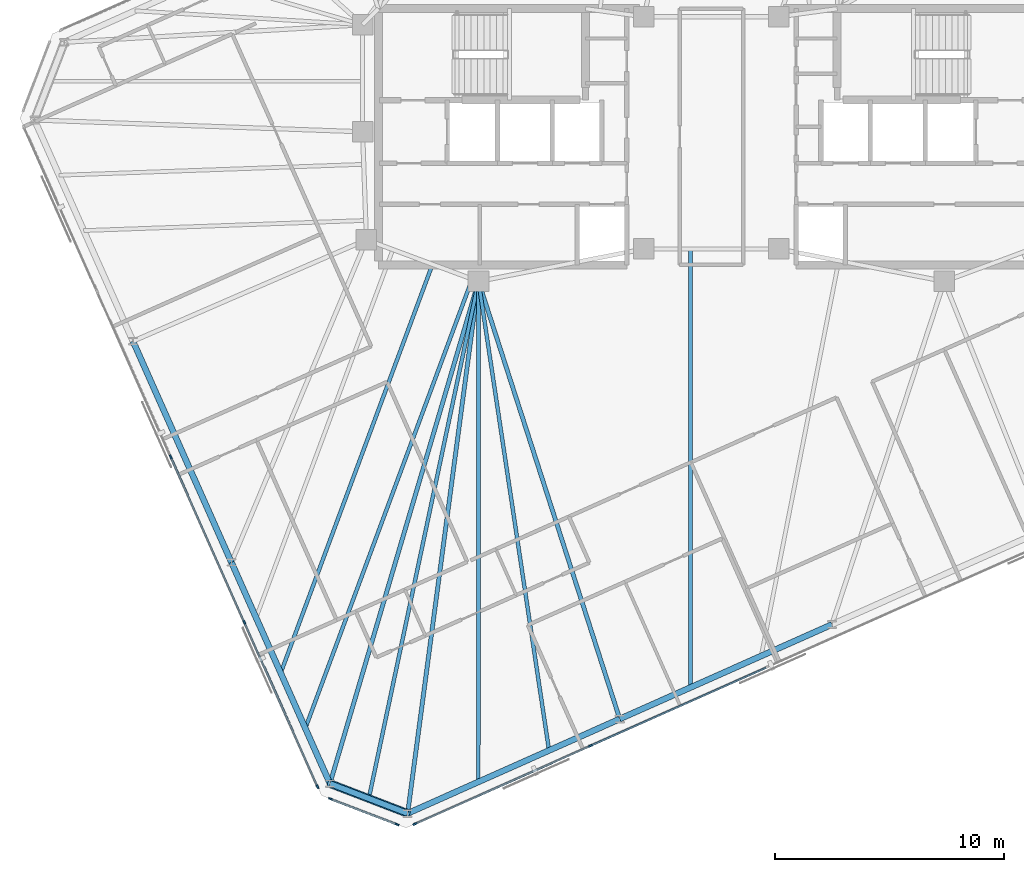
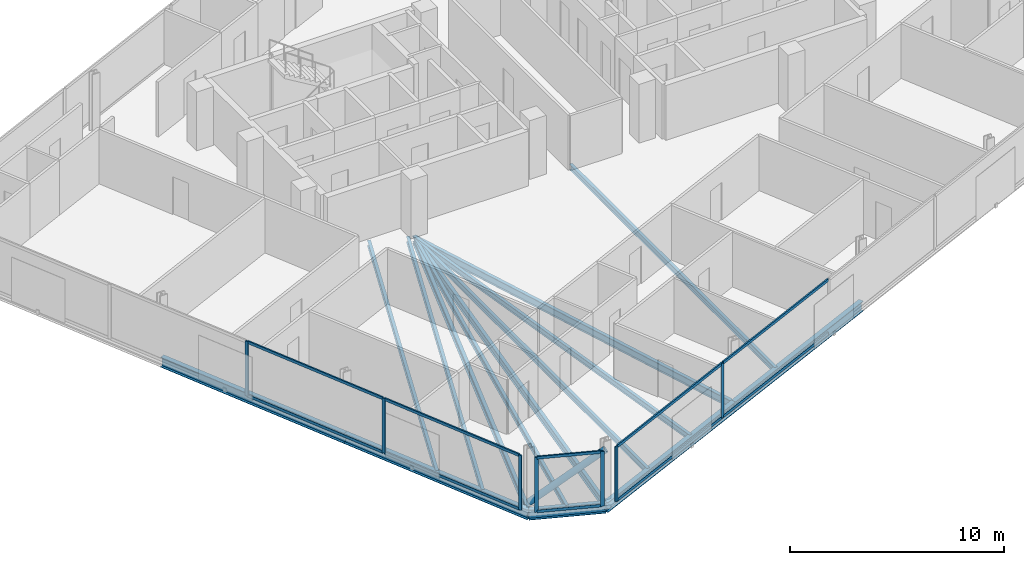
# One storey, part 5 of 18: 18 members, 14 beams, 3 elements without a shape of their own.
"""IFC4 building model written with IfcOpenShell, lengths in metres."""

import ifcopenshell
import ifcopenshell.guid

model = None  # the IFC model being written
_history = None  # IfcOwnerHistory: only IFC2X3 demands one
_inside = {}  # id of a spatial element -> (the spatial element, [elements in it])
_under = {}  # id of a project, library or spatial element -> (it, [spatial elements below it])
_declared = {}  # id of a project -> (the project, [libraries it declares])
_typed = {}  # id of a type object -> (the type object, [elements of that type])
_made_of = {}  # id of a material, layer set ... -> (it, [elements and type objects made of it])


def new_model(schema):
    """Start an empty IFC model of exactly this schema.

    Asked for "IFC4X3", IfcOpenShell would pick the latest addendum, in which some entities
    have other attributes; the version numbers below select the first issue.
    IFC2X3 requires an IfcOwnerHistory on every rooted entity: one is made here for all.
    """
    global model, _history
    if schema == "IFC4X3":
        model = ifcopenshell.file(schema_version=(4, 3, 0, 0))
    else:
        model = ifcopenshell.file(schema=schema)
    _inside.clear()
    _under.clear()
    _declared.clear()
    _typed.clear()
    _made_of.clear()
    _history = None
    if model.schema == "IFC2X3":
        org = make("IfcOrganization", Name="unknown")
        user = make(
            "IfcPersonAndOrganization",
            ThePerson=make("IfcPerson", FamilyName="unknown"),
            TheOrganization=org,
        )
        app = make(
            "IfcApplication",
            ApplicationDeveloper=org,
            Version="unknown",
            ApplicationFullName="unknown",
            ApplicationIdentifier="unknown",
        )
        _history = make(
            "IfcOwnerHistory",
            OwningUser=user,
            OwningApplication=app,
            ChangeAction="ADDED",
            CreationDate=0,
        )
    return model


def make(cls, **values):
    """One entity of the class cls with the attributes given. An attribute that is None is left unset."""
    return model.create_entity(
        cls, **{name: value for name, value in values.items() if value is not None}
    )


def rooted(cls, **values):
    """An entity with a GlobalId (a new one), such as an element, a storey or a relation."""
    return make(cls, GlobalId=ifcopenshell.guid.new(), OwnerHistory=_history, **values)


def si_unit(unit_type, name, prefix=None):
    """IfcSIUnit, for example si_unit("LENGTHUNIT", "METRE", prefix="MILLI")."""
    return make("IfcSIUnit", UnitType=unit_type, Prefix=prefix, Name=name)


def assignment(units):
    """IfcUnitAssignment: the units of a project."""
    return None if units is None else make("IfcUnitAssignment", Units=units)


def point(xyz):
    """IfcCartesianPoint."""
    return None if xyz is None else make("IfcCartesianPoint", Coordinates=xyz)


def direction(xyz):
    """IfcDirection."""
    return None if xyz is None else make("IfcDirection", DirectionRatios=xyz)


def frame(location, z_axis=None, x_axis=None):
    """IfcAxis2Placement3D, a coordinate frame: its origin and axes. An axis left out is left unset."""
    return make(
        "IfcAxis2Placement3D",
        Location=point(location),
        Axis=direction(z_axis),
        RefDirection=direction(x_axis),
    )


def frame_2d(location, x_axis=None):
    """IfcAxis2Placement2D, a coordinate frame in the plane: its origin and x axis."""
    return make(
        "IfcAxis2Placement2D", Location=point(location), RefDirection=direction(x_axis)
    )


def origin():
    """The frame at (0, 0, 0) with its axes left unset."""
    return frame((0.0, 0.0, 0.0))


def origin_2d():
    """The frame at (0, 0) in the plane with its x axis left unset."""
    return frame_2d((0.0, 0.0))


def place(relative_to, where):
    """IfcLocalPlacement: puts the frame where relative to a parent placement (None: the world)."""
    return make(
        "IfcLocalPlacement", PlacementRelTo=relative_to, RelativePlacement=where
    )


def context(
    kind, dimensions, precision=None, world=None, true_north=None, identifier=None
):
    """IfcGeometricRepresentationContext, for example the 3D "Model" context."""
    return make(
        "IfcGeometricRepresentationContext",
        ContextIdentifier=identifier,
        ContextType=kind,
        CoordinateSpaceDimension=dimensions,
        Precision=precision,
        WorldCoordinateSystem=world,
        TrueNorth=true_north,
    )


def subcontext(parent, identifier, kind, view, scale=None):
    """IfcGeometricRepresentationSubContext, for example "Body" below "Model"."""
    return make(
        "IfcGeometricRepresentationSubContext",
        ContextIdentifier=identifier,
        ContextType=kind,
        ParentContext=parent,
        TargetScale=scale,
        TargetView=view,
    )


def project(units=None, contexts=None):
    """IfcProject with its units and contexts."""
    return rooted(
        "IfcProject",
        Name="project",
        RepresentationContexts=contexts,
        UnitsInContext=assignment(units),
    )


def spatial(cls, under=None, at=None, **own):
    """A site, building, storey or space (cls), placed at a placement, below another one or the project."""
    s = rooted(cls, ObjectPlacement=at, **own)
    if under is not None:
        _under.setdefault(under.id(), (under, []))[1].append(s)
    return s


def profile(cls, at=None, kind="AREA", **sizes):
    """A parametric profile (cls). Its sizes go by their IFC names, for example OverallWidth=200.0."""
    return make(cls, ProfileType=kind, Position=at, **sizes)


def rectangle(**sizes):
    """IfcRectangleProfileDef."""
    return profile("IfcRectangleProfileDef", **sizes)


def hollow_circle(**sizes):
    """IfcCircleHollowProfileDef."""
    return profile("IfcCircleHollowProfileDef", **sizes)


def i_section(**sizes):
    """IfcIShapeProfileDef."""
    return profile("IfcIShapeProfileDef", **sizes)


def extrude(swept, where, along, depth):
    """IfcExtrudedAreaSolid: the profile swept, set in the frame where, extruded along a direction by depth."""
    return make(
        "IfcExtrudedAreaSolid",
        SweptArea=swept,
        Position=where,
        ExtrudedDirection=direction(along),
        Depth=depth,
    )


def shape(context_of_items, identifier, shape_type, items):
    """IfcShapeRepresentation: the items that make up one representation, for example the "Body"."""
    return make(
        "IfcShapeRepresentation",
        ContextOfItems=context_of_items,
        RepresentationIdentifier=identifier,
        RepresentationType=shape_type,
        Items=items,
    )


def material(Name=None, Category=None):
    """IfcMaterial."""
    return make("IfcMaterial", Name=Name, Category=Category)


def material_profile(
    of_material, cross_section, Name=None, Category=None, Priority=None
):
    """IfcMaterialProfile: a cross section and its material."""
    return make(
        "IfcMaterialProfile",
        Name=Name,
        Material=of_material,
        Profile=cross_section,
        Priority=Priority,
        Category=Category,
    )


def profile_set(profiles, Name=None, composite=None):
    """IfcMaterialProfileSet."""
    return make(
        "IfcMaterialProfileSet",
        Name=Name,
        MaterialProfiles=profiles,
        CompositeProfile=composite,
    )


def made_of(thing, what):
    """Note that an element or type object is made of a material, layer set ...; save() writes the relation."""
    if what is not None:
        _made_of.setdefault(what.id(), (what, []))[1].append(thing)
    return thing


def type_object(cls, material=None, **own):
    """A type object (cls), such as IfcWallType, which elements share."""
    return made_of(rooted(cls, **own), material)


def element(
    cls,
    number,
    at=None,
    inside=None,
    cuts=None,
    type_object=None,
    material=None,
    context=None,
    identifier="Body",
    shape_type=None,
    held_by="IfcProductDefinitionShape",
    body=None,
    shapes=None,
    **own,
):
    """One element of the class cls, such as IfcWall. Its Tag is "e" and its number.

    at: its placement. inside: the storey or other place that contains it. cuts: it is an
    opening in that element (IfcRelVoidsElement). A single representation is given by context,
    identifier, shape_type and body (its items); several are given by shapes. held_by: the class
    of the entity that holds the representations. save() writes the other relations.
    """
    e = rooted(cls, Tag="e%d" % number, ObjectPlacement=at, **own)
    if body is not None:
        shapes = [shape(context, identifier, shape_type, body)]
    if shapes is not None:
        e.Representation = make(held_by, Representations=shapes)
    if inside is not None:
        _inside.setdefault(inside.id(), (inside, []))[1].append(e)
    if cuts is not None:
        rooted(
            "IfcRelVoidsElement", RelatingBuildingElement=cuts, RelatedOpeningElement=e
        )
    if type_object is not None:
        _typed.setdefault(type_object.id(), (type_object, []))[1].append(e)
    return made_of(e, material)


def aggregate(whole, parts):
    """IfcRelAggregates: a whole, such as a stair, and the parts it consists of."""
    return rooted("IfcRelAggregates", RelatingObject=whole, RelatedObjects=parts)


def save(model, path):
    """Write the relations noted so far, then the file.

    IfcRelAggregates (storeys below a building ...), IfcRelContainedInSpatialStructure (elements
    in a storey), IfcRelDefinesByType, IfcRelAssociatesMaterial and IfcRelDeclares: one each for
    every whole, place, type object, material and project.
    """
    for whole, parts in _under.values():
        aggregate(whole, parts)
    for where, things in _inside.values():
        rooted(
            "IfcRelContainedInSpatialStructure",
            RelatedElements=things,
            RelatingStructure=where,
        )
    for kind, things in _typed.values():
        rooted("IfcRelDefinesByType", RelatedObjects=things, RelatingType=kind)
    for what, things in _made_of.values():
        rooted("IfcRelAssociatesMaterial", RelatedObjects=things, RelatingMaterial=what)
    for by, libraries in _declared.values():
        rooted("IfcRelDeclares", RelatingContext=by, RelatedDefinitions=libraries)
    model.write(path)


model = new_model("IFC4")

# Units and contexts
model_context = context("Model", 3, precision=1e-05, world=origin(), true_north=direction((0.0, 1.0)))
body_context = subcontext(model_context, "Body", "Model", "MODEL_VIEW")
ifc_project = project(units=[si_unit("LENGTHUNIT", "METRE"), si_unit("AREAUNIT", "SQUARE_METRE"), si_unit("VOLUMEUNIT", "CUBIC_METRE"), si_unit("PLANEANGLEUNIT", "RADIAN"), si_unit("MASSUNIT", "GRAM", prefix="KILO")], contexts=[model_context])

# Site, building, storey
site_placement = place(None, origin())
site = spatial("IfcSite", under=ifc_project, at=site_placement, CompositionType="ELEMENT")
building_placement = place(site_placement, origin())
building = spatial("IfcBuilding", under=site, at=building_placement, Name="Menara Jurai Vektor", CompositionType="ELEMENT")
storey_placement = place(building_placement, frame((0.0, 0.0, 298.64990234375)))
storey = spatial("IfcBuildingStorey", under=building, at=storey_placement, Name="L80", CompositionType="ELEMENT", Elevation=298.64990234375)

# Curtain wall, members
ifc_material_1 = material(Name="Anodised Pale Aluminium & Low-E Double Glazing", Category="aluminium")
curtain_wall_type = type_object("IfcCurtainWallType", Name="CW-BLK5", PredefinedType="NOTDEFINED", material=ifc_material_1)
curtain_wall_1_placement = place(storey_placement, origin())
curtain_wall_1 = element("IfcCurtainWall", 1, at=curtain_wall_1_placement, inside=storey, type_object=curtain_wall_type, Name="Unitised Curtain Wall L80 F01", PredefinedType="NOTDEFINED")
ifc_material_2 = material(Name="Anodised Pale Aluminium Mullion", Category="aluminium")
ifc_material_profile_1 = material_profile(ifc_material_2, rectangle(XDim=0.074951171875, YDim=0.175048828125, at=origin_2d()), Name="ALU MUL 75x175")
ifc_profile_set_1 = profile_set([ifc_material_profile_1], Name="Anodised Pale Aluminium Mullion")
member_type_1 = type_object("IfcMemberType", Name="CW-BLK5-MUL", PredefinedType="MULLION", material=ifc_profile_set_1)
member_1_placement = place(storey_placement, frame((-12.96875, -30.04052734375, 0.0), z_axis=(0.0, 0.0, 1.0), x_axis=(-0.406735498684, 0.913545967158, 0.0)))
member_1 = element("IfcMember", 2, at=member_1_placement, type_object=member_type_1, Name="CW-05 mullion 1", PredefinedType="MULLION", context=body_context, shape_type="SweptSolid", body=[
    extrude(rectangle(XDim=0.074951171875, YDim=0.175048828125, at=origin_2d()), origin(), (0.0, 0.0, 1.0), 3.125),
])
member_2_placement = place(storey_placement, frame((-5.292724609375, -26.623046875, 0.0), z_axis=(0.0, 0.0, 1.0), x_axis=(-0.406735498684, 0.913545967158, 0.0)))
member_2 = element("IfcMember", 3, at=member_2_placement, type_object=member_type_1, Name="CW-05 mullion 2", PredefinedType="MULLION", context=body_context, shape_type="SweptSolid", body=[
    extrude(rectangle(XDim=0.074951171875, YDim=0.175048828125, at=origin_2d()), origin(), (0.0, 0.0, 1.0), 3.125),
])

curtain_wall_2_placement = place(storey_placement, origin())
curtain_wall_2 = element("IfcCurtainWall", 4, at=curtain_wall_2_placement, inside=storey, type_object=curtain_wall_type, Name="Unitised Curtain Wall L80 F07", PredefinedType="NOTDEFINED")
member_3_placement = place(storey_placement, frame((-23.635986328125, -13.991943359375, 0.0), z_axis=(0.0, 0.0, 1.0), x_axis=(0.913546127706, 0.406735138086, 0.0)))
member_3 = element("IfcMember", 5, at=member_3_placement, type_object=member_type_1, Name="CW-05 mullion 3", PredefinedType="MULLION", context=body_context, shape_type="SweptSolid", body=[
    extrude(rectangle(XDim=0.074951171875, YDim=0.175048828125, at=origin_2d()), origin(), (0.0, 0.0, 1.0), 3.125),
])
member_4_placement = place(storey_placement, frame((-20.418701171875, -21.21826171875, 0.0), z_axis=(0.0, 0.0, 1.0), x_axis=(0.913546127706, 0.406735138086, 0.0)))
member_4 = element("IfcMember", 6, at=member_4_placement, type_object=member_type_1, Name="CW-05 mullion 4", PredefinedType="MULLION", context=body_context, shape_type="SweptSolid", body=[
    extrude(rectangle(XDim=0.074951171875, YDim=0.175048828125, at=origin_2d()), origin(), (0.0, 0.0, 1.0), 3.125),
])
member_5_placement = place(storey_placement, frame((-17.216796875, -28.41015625, 0.0), z_axis=(0.0, 0.0, 1.0), x_axis=(0.913546127706, 0.406735138086, 0.0)))
member_5 = element("IfcMember", 7, at=member_5_placement, type_object=member_type_1, Name="CW-05 mullion 5", PredefinedType="MULLION", context=body_context, shape_type="SweptSolid", body=[
    extrude(rectangle(XDim=0.074951171875, YDim=0.175048828125, at=origin_2d()), origin(), (0.0, 0.0, 1.0), 3.125),
])

curtain_wall_3_placement = place(storey_placement, origin())
curtain_wall_3 = element("IfcCurtainWall", 8, at=curtain_wall_3_placement, inside=storey, type_object=curtain_wall_type, Name="Unitised Curtain Wall L80 F08", PredefinedType="NOTDEFINED")
member_6_placement = place(storey_placement, frame((-16.656982421875, -28.94091796875, 0.0), z_axis=(0.0, 0.0, 1.0), x_axis=(0.358373766287, 0.933578193639, 0.0)))
member_6 = element("IfcMember", 9, at=member_6_placement, type_object=member_type_1, Name="CW-05 mullion 1", PredefinedType="MULLION", context=body_context, shape_type="SweptSolid", body=[
    extrude(rectangle(XDim=0.074951171875, YDim=0.175048828125, at=origin_2d()), origin(), (0.0, 0.0, 1.0), 3.125),
])
member_7_placement = place(storey_placement, frame((-13.739990234375, -30.060791015625, 0.0), z_axis=(0.0, 0.0, 1.0), x_axis=(0.358373766287, 0.933578193639, 0.0)))
member_7 = element("IfcMember", 10, at=member_7_placement, type_object=member_type_1, Name="CW-05 mullion 2", PredefinedType="MULLION", context=body_context, shape_type="SweptSolid", body=[
    extrude(rectangle(XDim=0.074951171875, YDim=0.175048828125, at=origin_2d()), origin(), (0.0, 0.0, 1.0), 3.125),
])

# Member
ifc_material_3 = material(Name="Anodised Pale Aluminium Transom", Category="aluminium")
ifc_material_profile_2 = material_profile(ifc_material_3, rectangle(XDim=0.074951171875, YDim=0.155029296875, at=origin_2d()), Name="ALU TRN 75x155")
ifc_profile_set_2 = profile_set([ifc_material_profile_2], Name="Anodised Pale Aluminium Transom")
member_type_2 = type_object("IfcMemberType", Name="CW-BLK5-TRN", PredefinedType="USERDEFINED", material=ifc_profile_set_2)
member_8_placement = place(storey_placement, frame((-12.9345703125, -30.025390625, 0.03759765625), z_axis=(0.913542963736, 0.406742244436, 0.0), x_axis=(-0.406742244436, 0.913542963736, 0.0)))
member_8 = element("IfcMember", 11, at=member_8_placement, type_object=member_type_2, Name="CW-05 transom 1.1", ObjectType="TRANSOM", PredefinedType="USERDEFINED", context=body_context, shape_type="SweptSolid", body=[
    extrude(rectangle(XDim=0.074951171875, YDim=0.155029296875, at=origin_2d()), origin(), (0.0, 0.0, 1.0), 8.32763671875),
])

member_9_placement = place(storey_placement, frame((-12.9345703125, -30.025390625, 3.087646484375), z_axis=(0.913542963736, 0.406742244436, 0.0), x_axis=(-0.406742244436, 0.913542963736, 0.0)))
member_9 = element("IfcMember", 12, at=member_9_placement, type_object=member_type_2, Name="CW-05 transom 1.2", ObjectType="TRANSOM", PredefinedType="USERDEFINED", context=body_context, shape_type="SweptSolid", body=[
    extrude(rectangle(XDim=0.074951171875, YDim=0.155029296875, at=origin_2d()), origin(), (0.0, 0.0, 1.0), 8.32763671875),
])

member_10_placement = place(storey_placement, frame((-5.25830078125, -26.60791015625, 0.03759765625), z_axis=(0.913541747007, 0.406744977198, 0.0), x_axis=(-0.406744977198, 0.913541747007, 0.0)))
member_10 = element("IfcMember", 13, at=member_10_placement, type_object=member_type_2, Name="CW-05 transom 2.1", ObjectType="TRANSOM", PredefinedType="USERDEFINED", context=body_context, shape_type="SweptSolid", body=[
    extrude(rectangle(XDim=0.074951171875, YDim=0.155029296875, at=origin_2d()), origin(), (0.0, 0.0, 1.0), 8.36474609375),
])

member_11_placement = place(storey_placement, frame((-5.25830078125, -26.60791015625, 3.087646484375), z_axis=(0.913541747007, 0.406744977198, 0.0), x_axis=(-0.406744977198, 0.913541747007, 0.0)))
member_11 = element("IfcMember", 14, at=member_11_placement, type_object=member_type_2, Name="CW-05 transom 2.2", ObjectType="TRANSOM", PredefinedType="USERDEFINED", context=body_context, shape_type="SweptSolid", body=[
    extrude(rectangle(XDim=0.074951171875, YDim=0.155029296875, at=origin_2d()), origin(), (0.0, 0.0, 1.0), 8.36474609375),
])

aggregate(curtain_wall_1, [member_1, member_2, member_8, member_9, member_10, member_11])

member_12_placement = place(storey_placement, frame((-23.620849609375, -14.0263671875, 0.03759765625), z_axis=(0.40674264085, -0.913542787238, 0.0), x_axis=(0.913542787238, 0.40674264085, 0.0)))
member_12 = element("IfcMember", 15, at=member_12_placement, type_object=member_type_2, Name="CW-05 transom 3.1", ObjectType="TRANSOM", PredefinedType="USERDEFINED", context=body_context, shape_type="SweptSolid", body=[
    extrude(rectangle(XDim=0.074951171875, YDim=0.155029296875, at=origin_2d()), origin(), (0.0, 0.0, 1.0), 7.8349609375),
])

member_13_placement = place(storey_placement, frame((-23.620849609375, -14.0263671875, 3.087646484375), z_axis=(0.40674264085, -0.913542787238, 0.0), x_axis=(0.913542787238, 0.40674264085, 0.0)))
member_13 = element("IfcMember", 16, at=member_13_placement, type_object=member_type_2, Name="CW-05 transom 3.2", ObjectType="TRANSOM", PredefinedType="USERDEFINED", context=body_context, shape_type="SweptSolid", body=[
    extrude(rectangle(XDim=0.074951171875, YDim=0.155029296875, at=origin_2d()), origin(), (0.0, 0.0, 1.0), 7.8349609375),
])

member_14_placement = place(storey_placement, frame((-20.403564453125, -21.25244140625, 0.03759765625), z_axis=(0.406751345283, -0.913538911656, 0.0), x_axis=(0.913538911656, 0.406751345283, 0.0)))
member_14 = element("IfcMember", 17, at=member_14_placement, type_object=member_type_2, Name="CW-05 transom 4.1", ObjectType="TRANSOM", PredefinedType="USERDEFINED", context=body_context, shape_type="SweptSolid", body=[
    extrude(rectangle(XDim=0.074951171875, YDim=0.155029296875, at=origin_2d()), origin(), (0.0, 0.0, 1.0), 7.79736328125),
])

member_15_placement = place(storey_placement, frame((-20.403564453125, -21.25244140625, 3.087646484375), z_axis=(0.406751345283, -0.913538911656, 0.0), x_axis=(0.913538911656, 0.406751345283, 0.0)))
member_15 = element("IfcMember", 18, at=member_15_placement, type_object=member_type_2, Name="CW-05 transom 4.2", ObjectType="TRANSOM", PredefinedType="USERDEFINED", context=body_context, shape_type="SweptSolid", body=[
    extrude(rectangle(XDim=0.074951171875, YDim=0.155029296875, at=origin_2d()), origin(), (0.0, 0.0, 1.0), 7.79736328125),
])

aggregate(curtain_wall_2, [member_3, member_4, member_5, member_12, member_13, member_14, member_15])

member_16_placement = place(storey_placement, frame((-16.6220703125, -28.95458984375, 0.03759765625), z_axis=(0.933597094911, -0.358324523823, 0.0), x_axis=(0.358324523823, 0.933597094911, 0.0)))
member_16 = element("IfcMember", 19, at=member_16_placement, type_object=member_type_2, Name="CW-05 transom 1.1", ObjectType="TRANSOM", PredefinedType="USERDEFINED", context=body_context, shape_type="SweptSolid", body=[
    extrude(rectangle(XDim=0.074951171875, YDim=0.155029296875, at=origin_2d()), origin(), (0.0, 0.0, 1.0), 3.049560546875),
])

member_17_placement = place(storey_placement, frame((-16.6220703125, -28.95458984375, 3.087646484375), z_axis=(0.933597094911, -0.358324523823, 0.0), x_axis=(0.358324523823, 0.933597094911, 0.0)))
member_17 = element("IfcMember", 20, at=member_17_placement, type_object=member_type_2, Name="CW-05 transom 1.2", ObjectType="TRANSOM", PredefinedType="USERDEFINED", context=body_context, shape_type="SweptSolid", body=[
    extrude(rectangle(XDim=0.074951171875, YDim=0.155029296875, at=origin_2d()), origin(), (0.0, 0.0, 1.0), 3.049560546875),
])

aggregate(curtain_wall_3, [member_6, member_7, member_16, member_17])

# Beams
ifc_material_4 = material(Name="Steel S355", Category="steel")
ifc_material_profile_3 = material_profile(ifc_material_4, i_section(OverallWidth=0.18505859375, OverallDepth=0.429931640625, WebThickness=0.010986328125, FlangeThickness=0.01806640625, at=origin_2d()), Name="PG 430x185x76")
ifc_profile_set_3 = profile_set([ifc_material_profile_3], Name="Steel S355")
beam_type_1 = type_object("IfcBeamType", Name="STR-BM-430", PredefinedType="BEAM", material=ifc_profile_set_3)
beam_1_placement = place(storey_placement, frame((-13.279541015625, -29.576904296875, -0.43994140625), z_axis=(0.132109192855, 0.991235169454, 0.0), x_axis=(-0.991235169454, 0.132109192855, 0.0)))
element("IfcBeam", 21, at=beam_1_placement, inside=storey, type_object=beam_type_1, Name="Radial Floor Girder L80-S1", PredefinedType="BEAM", context=body_context, shape_type="SweptSolid", body=[
    extrude(i_section(OverallWidth=0.18505859375, OverallDepth=0.429931640625, WebThickness=0.010986328125, FlangeThickness=0.01806640625, at=origin_2d()), origin(), (0.0, 0.0, 1.0), 23.46240234375),
])
beam_2_placement = place(storey_placement, frame((-4.006103515625, -25.4482421875, -0.43994140625), z_axis=(-0.307158217721, 0.95165846252, 0.0), x_axis=(-0.95165846252, -0.307158217721, 0.0)))
element("IfcBeam", 22, at=beam_2_placement, inside=storey, type_object=beam_type_1, Name="Radial Floor Girder L80-S2", PredefinedType="BEAM", context=body_context, shape_type="SweptSolid", body=[
    extrude(i_section(OverallWidth=0.18505859375, OverallDepth=0.429931640625, WebThickness=0.010986328125, FlangeThickness=0.01806640625, at=origin_2d()), origin(), (0.0, 0.0, 1.0), 20.099853515625),
])
beam_3_placement = place(storey_placement, frame((-16.675537109375, -28.2734375, -0.43994140625), z_axis=(0.283723047838, 0.958906268686, 0.0), x_axis=(-0.958906268686, 0.283723047838, 0.0)))
element("IfcBeam", 23, at=beam_3_placement, inside=storey, type_object=beam_type_1, Name="Radial Floor Girder L80-W4", PredefinedType="BEAM", context=body_context, shape_type="SweptSolid", body=[
    extrude(i_section(OverallWidth=0.18505859375, OverallDepth=0.429931640625, WebThickness=0.010986328125, FlangeThickness=0.01806640625, at=origin_2d()), origin(), (0.0, 0.0, 1.0), 22.894287109375),
])

# Member
ifc_material_5 = material(Name="Steel S460", Category="steel")
ifc_material_profile_4 = material_profile(ifc_material_5, hollow_circle(Radius=0.177734375, WallThickness=0.01611328125, at=origin_2d()), Name="CHS 355.6x16")
ifc_profile_set_4 = profile_set([ifc_material_profile_4], Name="Steel S460")
member_type_3 = type_object("IfcMemberType", Name="STR-BR-356", PredefinedType="BRACE", material=ifc_profile_set_4)
member_18_placement = place(storey_placement, frame((-16.675537109375, -28.2734375, 0.150146484375), z_axis=(0.757054002265, -0.290575939475, 0.585179340931), x_axis=(0.358335850414, 0.933592747566, 0.0)))
element("IfcMember", 24, at=member_18_placement, inside=storey, type_object=member_type_3, Name="Exoskeleton Corner Brace L80-4", PredefinedType="BRACE", context=body_context, shape_type="SweptSolid", body=[
    extrude(hollow_circle(Radius=0.177734375, WallThickness=0.01611328125, at=origin_2d()), origin(), (0.0, 0.0, 1.0), 4.48583984375),
])

# Beams
ifc_material_profile_5 = material_profile(ifc_material_4, i_section(OverallWidth=0.1650390625, OverallDepth=0.330078125, WebThickness=0.009033203125, FlangeThickness=0.013916015625, at=origin_2d()), Name="PG 330x165x46")
ifc_profile_set_5 = profile_set([ifc_material_profile_5], Name="Steel S355")
beam_type_2 = type_object("IfcBeamType", Name="STR-JS-330", PredefinedType="JOIST", material=ifc_profile_set_5)
beam_4_placement = place(storey_placement, frame((-10.188232421875, -28.20068359375, -0.389892578125), z_axis=(0.000379366876, 0.99999992804, 0.0), x_axis=(-0.99999992804, 0.000379366876, 0.0)))
element("IfcBeam", 25, at=beam_4_placement, inside=storey, type_object=beam_type_2, Name="Radial Secondary Floor Joist L80-JS01", PredefinedType="JOIST", context=body_context, shape_type="SweptSolid", body=[
    extrude(i_section(OverallWidth=0.1650390625, OverallDepth=0.330078125, WebThickness=0.009033203125, FlangeThickness=0.013916015625, at=origin_2d()), origin(), (0.0, 0.0, 1.0), 21.880615234375),
])
beam_5_placement = place(storey_placement, frame((-7.09716796875, -26.824462890625, -0.389892578125), z_axis=(-0.148675540239, 0.988886031722, 0.0), x_axis=(-0.988886031722, -0.148675540239, 0.0)))
element("IfcBeam", 26, at=beam_5_placement, inside=storey, type_object=beam_type_2, Name="Radial Secondary Floor Joist L80-JS02", PredefinedType="JOIST", context=body_context, shape_type="SweptSolid", body=[
    extrude(i_section(OverallWidth=0.1650390625, OverallDepth=0.330078125, WebThickness=0.009033203125, FlangeThickness=0.013916015625, at=origin_2d()), origin(), (0.0, 0.0, 1.0), 20.73486328125),
])
beam_6_placement = place(storey_placement, frame((-0.914794921875, -24.072021484375, -0.389892578125), z_axis=(0.0, 1.0, 0.0), x_axis=(-1.0, 0.0, 0.0)))
element("IfcBeam", 27, at=beam_6_placement, inside=storey, type_object=beam_type_2, Name="Radial Secondary Floor Joist L80-JS03", PredefinedType="JOIST", context=body_context, shape_type="SweptSolid", body=[
    extrude(i_section(OverallWidth=0.1650390625, OverallDepth=0.330078125, WebThickness=0.009033203125, FlangeThickness=0.013916015625, at=origin_2d()), origin(), (0.0, 0.0, 1.0), 19.172119140625),
])
beam_7_placement = place(storey_placement, frame((-18.828125, -23.4384765625, -0.389892578125), z_axis=(0.348177845571, 0.937428497462, 0.0), x_axis=(-0.937428497462, 0.348177845571, 0.0)))
element("IfcBeam", 28, at=beam_7_placement, inside=storey, type_object=beam_type_2, Name="Radial Secondary Floor Joist L80-JS29", PredefinedType="JOIST", context=body_context, shape_type="SweptSolid", body=[
    extrude(i_section(OverallWidth=0.1650390625, OverallDepth=0.330078125, WebThickness=0.009033203125, FlangeThickness=0.013916015625, at=origin_2d()), origin(), (0.0, 0.0, 1.0), 19.05859375),
])
beam_8_placement = place(storey_placement, frame((-17.751953125, -25.85595703125, -0.389892578125), z_axis=(0.348185651823, 0.937425598042, 0.0), x_axis=(-0.937425598042, 0.348185651823, 0.0)))
element("IfcBeam", 29, at=beam_8_placement, inside=storey, type_object=beam_type_2, Name="Radial Secondary Floor Joist L80-JS30", PredefinedType="JOIST", context=body_context, shape_type="SweptSolid", body=[
    extrude(i_section(OverallWidth=0.1650390625, OverallDepth=0.330078125, WebThickness=0.009033203125, FlangeThickness=0.013916015625, at=origin_2d()), origin(), (0.0, 0.0, 1.0), 20.949951171875),
])
beam_9_placement = place(storey_placement, frame((-14.9775390625, -28.92529296875, -0.389892578125), z_axis=(0.207610208592, 0.978211634202, 0.0), x_axis=(-0.978211634202, 0.207610208592, 0.0)))
element("IfcBeam", 30, at=beam_9_placement, inside=storey, type_object=beam_type_2, Name="Radial Secondary Floor Joist L80-JS31", PredefinedType="JOIST", context=body_context, shape_type="SweptSolid", body=[
    extrude(i_section(OverallWidth=0.1650390625, OverallDepth=0.330078125, WebThickness=0.009033203125, FlangeThickness=0.013916015625, at=origin_2d()), origin(), (0.0, 0.0, 1.0), 23.108642578125),
])
ifc_material_profile_6 = material_profile(ifc_material_4, i_section(OverallWidth=0.260009765625, OverallDepth=0.570068359375, WebThickness=0.013916015625, FlangeThickness=0.02392578125, at=origin_2d()), Name="PG 570x260x145")
ifc_profile_set_6 = profile_set([ifc_material_profile_6], Name="Steel S355")
beam_type_3 = type_object("IfcBeamType", Name="STR-SP-570", PredefinedType="SPANDREL", material=ifc_profile_set_6)
beam_10_placement = place(storey_placement, frame((-13.279541015625, -29.576904296875, -0.510009765625), z_axis=(0.913550519143, 0.406725274569, 0.0), x_axis=(-0.406725274569, 0.913550519143, 0.0)))
element("IfcBeam", 31, at=beam_10_placement, inside=storey, type_object=beam_type_3, Name="Exoskeleton Spandrel Beam L80-01", PredefinedType="SPANDREL", context=body_context, shape_type="SweptSolid", body=[
    extrude(i_section(OverallWidth=0.260009765625, OverallDepth=0.570068359375, WebThickness=0.013916015625, FlangeThickness=0.02392578125, at=origin_2d()), origin(), (0.0, 0.0, 1.0), 10.15087890625),
])
beam_11_placement = place(storey_placement, frame((-4.006103515625, -25.4482421875, -0.510009765625), z_axis=(0.913545561407, 0.406736410017, 0.0), x_axis=(-0.406736410017, 0.913545561407, 0.0)))
element("IfcBeam", 32, at=beam_11_placement, inside=storey, type_object=beam_type_3, Name="Exoskeleton Spandrel Beam L80-02", PredefinedType="SPANDREL", context=body_context, shape_type="SweptSolid", body=[
    extrude(i_section(OverallWidth=0.260009765625, OverallDepth=0.570068359375, WebThickness=0.013916015625, FlangeThickness=0.02392578125, at=origin_2d()), origin(), (0.0, 0.0, 1.0), 10.1513671875),
])
for number, where, z_axis, x_axis, name in (
    (33, (-25.286376953125, -8.933349609375, -0.510009765625), (0.406744000616, -0.913542181819, 0.0), (0.913542181819, 0.406744000616, 0.0), "Exoskeleton Spandrel Beam L80-18"),
    (34, (-20.98095703125, -18.603271484375, -0.510009765625), (0.40673543049, -0.91354599752, 0.0), (0.91354599752, 0.40673543049, 0.0), "Exoskeleton Spandrel Beam L80-19"),
):
    element("IfcBeam", number, at=place(storey_placement, frame(where, z_axis=z_axis, x_axis=x_axis)), inside=storey, type_object=beam_type_3, Name=name, PredefinedType="SPANDREL", context=body_context, shape_type="SweptSolid", body=[
        extrude(i_section(OverallWidth=0.260009765625, OverallDepth=0.570068359375, WebThickness=0.013916015625, FlangeThickness=0.02392578125, at=origin_2d()), origin(), (0.0, 0.0, 1.0), 10.585205078125),
    ])
beam_12_placement = place(storey_placement, frame((-16.675537109375, -28.2734375, -0.510009765625), z_axis=(0.933592747566, -0.358335850414, 0.0), x_axis=(0.358335850414, 0.933592747566, 0.0)))
element("IfcBeam", 35, at=beam_12_placement, inside=storey, type_object=beam_type_3, Name="Exoskeleton Spandrel Beam L80-20", PredefinedType="SPANDREL", context=body_context, shape_type="SweptSolid", body=[
    extrude(i_section(OverallWidth=0.260009765625, OverallDepth=0.570068359375, WebThickness=0.013916015625, FlangeThickness=0.02392578125, at=origin_2d()), origin(), (0.0, 0.0, 1.0), 3.637451171875),
])

save(model, "model.ifc")
